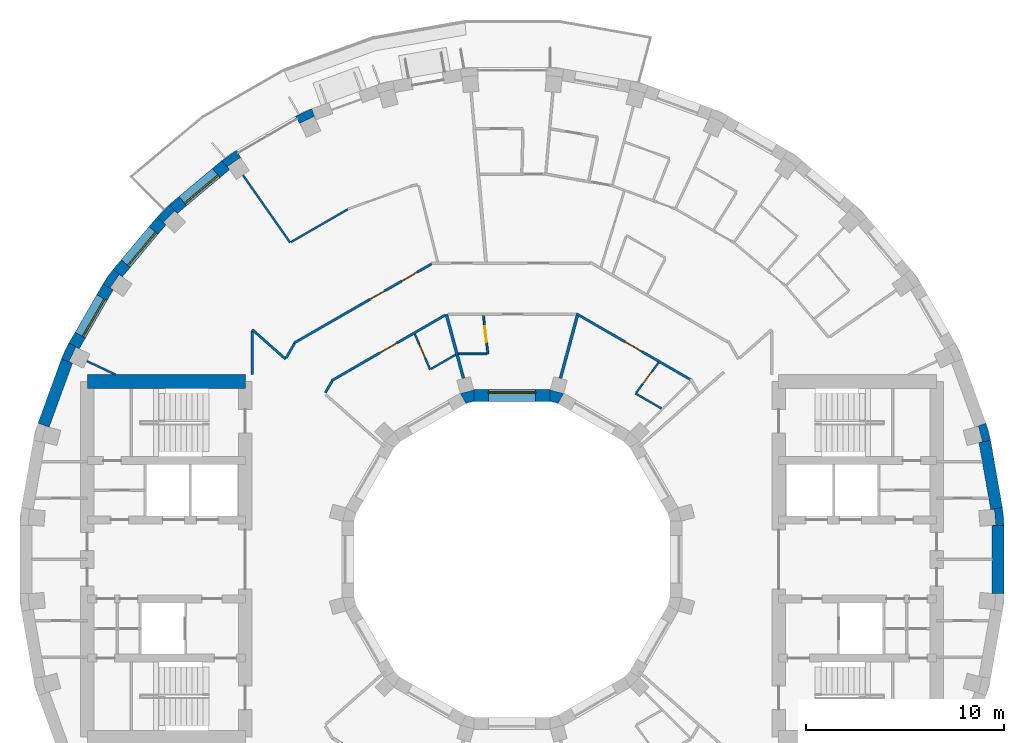
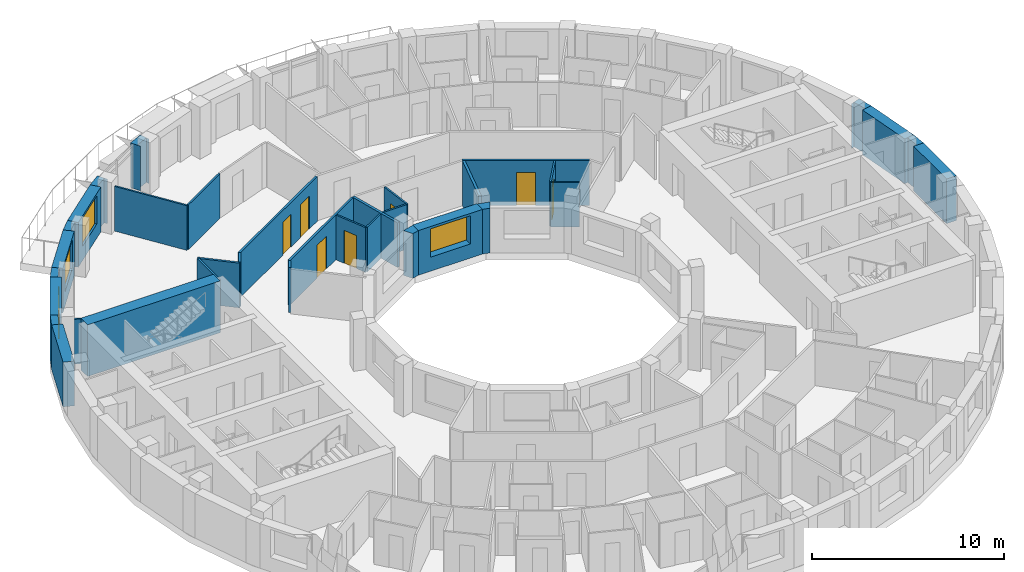
# One storey, part 10 of 14: 35 walls, 7 doors, 4 windows, 11 openings.
"""IFC4 building model written with IfcOpenShell, lengths in metres."""

from ifc_helpers import new_model, si_unit, direction, frame, frame_2d, origin, place, context, subcontext, project, spatial, polyline, rectangle, outline, extrude, material, layer, layer_set, type_object, element, fill, save


model = new_model("IFC4")

# Units and contexts
model_context = context("Model", 3, precision=1e-05, world=origin(), true_north=direction((0.0, 1.0)))
body_context = subcontext(model_context, "Body", "Model", "MODEL_VIEW")
ifc_project = project(units=[si_unit("LENGTHUNIT", "METRE"), si_unit("AREAUNIT", "SQUARE_METRE"), si_unit("VOLUMEUNIT", "CUBIC_METRE"), si_unit("PLANEANGLEUNIT", "RADIAN"), si_unit("MASSUNIT", "GRAM", prefix="KILO")], contexts=[model_context])

# Site, building, storey
site_placement = place(None, origin())
site = spatial("IfcSite", under=ifc_project, at=site_placement, CompositionType="ELEMENT")
building_placement = place(site_placement, origin())
building = spatial("IfcBuilding", under=site, at=building_placement, Name="Saqina Gate Tower", CompositionType="ELEMENT")
storey_placement = place(building_placement, frame((0.0, 0.0, 213.60009765625)))
storey = spatial("IfcBuildingStorey", under=building, at=storey_placement, Name="L61", CompositionType="ELEMENT", Elevation=213.60009765625)

# Walls
ifc_material_1 = material(Name="Brick masonry (buff)", Category="masonry")
wall_type_1 = type_object("IfcWallType", Name="BRICK PIER COPING BUFF", PredefinedType="SOLIDWALL", material=ifc_material_1)
wall_1_placement = place(storey_placement, origin())
element("IfcWall", 1, at=wall_1_placement, inside=storey, type_object=wall_type_1, Name="Pier cap L61 column 1", PredefinedType="SOLIDWALL", context=body_context, shape_type="SweptSolid", body=[
    extrude(outline(polyline([(24.90478515625, 1.724853515625), (24.825927734375, 2.6259765625), (24.235107421875, 2.521728515625), (24.421630859375, 2.5380859375), (24.491455078125, 1.7412109375), (24.304931640625, 1.724853515625), (24.90478515625, 1.724853515625)])), origin(), (0.0, 0.0, 1.0), 2.849853515625),
])
wall_2_placement = place(storey_placement, origin())
element("IfcWall", 2, at=wall_2_placement, inside=storey, type_object=wall_type_1, Name="Pier cap L61 column 2", PredefinedType="SOLIDWALL", context=body_context, shape_type="SweptSolid", body=[
    extrude(outline(polyline([(24.22705078125, 6.0234375), (23.992919921875, 6.897216796875), (23.428955078125, 6.69189453125), (23.610107421875, 6.740478515625), (23.81689453125, 5.967529296875), (23.635986328125, 5.919189453125), (24.22705078125, 6.0234375)])), origin(), (0.0, 0.0, 1.0), 2.849853515625),
])
wall_3_placement = place(storey_placement, origin())
element("IfcWall", 3, at=wall_3_placement, inside=storey, type_object=wall_type_1, Name="Pier cap L61 column 12", PredefinedType="SOLIDWALL", context=body_context, shape_type="SweptSolid", body=[
    extrude(outline(polyline([(-10.958740234375, 22.4306640625), (-10.65869140625, 21.9111328125), (-10.73779296875, 22.080810546875), (-10.0126953125, 22.4189453125), (-9.93359375, 22.249267578125), (-10.138916015625, 22.81298828125), (-10.958740234375, 22.4306640625)])), origin(), (0.0, 0.0, 1.0), 2.849853515625),
])
wall_4_placement = place(storey_placement, origin())
element("IfcWall", 4, at=wall_4_placement, inside=storey, type_object=wall_type_1, Name="Pier cap L61 column 13", PredefinedType="SOLIDWALL", context=body_context, shape_type="SweptSolid", body=[
    extrude(outline(polyline([(-13.9462890625, 20.705810546875), (-14.687255859375, 20.18701171875), (-14.301513671875, 19.727294921875), (-14.408935546875, 19.880859375), (-13.753662109375, 20.339599609375), (-13.646240234375, 20.186279296875), (-13.9462890625, 20.705810546875)])), origin(), (0.0, 0.0, 1.0), 2.849853515625),
])
wall_5_placement = place(storey_placement, origin())
element("IfcWall", 5, at=wall_5_placement, inside=storey, type_object=wall_type_1, Name="Pier cap L61 column 14", PredefinedType="SOLIDWALL", context=body_context, shape_type="SweptSolid", body=[
    extrude(outline(polyline([(-17.969482421875, 17.329833984375), (-17.510009765625, 16.944091796875), (-17.642333984375, 17.07666015625), (-17.07666015625, 17.642333984375), (-16.944091796875, 17.510009765625), (-17.329833984375, 17.969482421875), (-17.969482421875, 17.329833984375)])), origin(), (0.0, 0.0, 1.0), 2.849853515625),
])
wall_6_placement = place(storey_placement, origin())
element("IfcWall", 6, at=wall_6_placement, inside=storey, type_object=wall_type_1, Name="Pier cap L61 column 15", PredefinedType="SOLIDWALL", context=body_context, shape_type="SweptSolid", body=[
    extrude(outline(polyline([(-20.18701171875, 14.687255859375), (-20.705810546875, 13.9462890625), (-20.186279296875, 13.646240234375), (-20.339599609375, 13.753662109375), (-19.880859375, 14.408935546875), (-19.727294921875, 14.301513671875), (-20.18701171875, 14.687255859375)])), origin(), (0.0, 0.0, 1.0), 2.849853515625),
])
wall_7_placement = place(storey_placement, origin())
element("IfcWall", 7, at=wall_7_placement, inside=storey, type_object=wall_type_1, Name="Pier cap L61 column 16", PredefinedType="SOLIDWALL", context=body_context, shape_type="SweptSolid", body=[
    extrude(outline(polyline([(-22.81298828125, 10.138916015625), (-22.249267578125, 9.93359375), (-22.4189453125, 10.0126953125), (-22.080810546875, 10.73779296875), (-21.9111328125, 10.65869140625), (-22.4306640625, 10.958740234375), (-22.81298828125, 10.138916015625)])), origin(), (0.0, 0.0, 1.0), 2.849853515625),
])

# Wall, opening, window
ifc_material_2 = material(Name="Brick masonry (buff)", Category="masonry")
ifc_layer_1 = layer(ifc_material_2, 0.60009765625)
ifc_layer_set_1 = layer_set([ifc_layer_1], Name="FW-BRICK-BUFF")
wall_type_2 = type_object("IfcWallType", Name="FW-BRICK-BUFF", PredefinedType="SOLIDWALL", material=ifc_layer_set_1)
wall_8_placement = place(storey_placement, frame((-14.494384765625, 19.95703125, 0.0), z_axis=(0.0, 0.0, 1.0), x_axis=(-0.766058884809, -0.642770398358, 0.0)))
wall_8 = element("IfcWall", 8, at=wall_8_placement, inside=storey, type_object=wall_type_2, Name="Facade wall L61 facet 13", PredefinedType="SOLIDWALL", context=body_context, shape_type="SweptSolid", body=[
    extrude(rectangle(XDim=3.449462890625, YDim=0.60009765625, at=frame_2d((1.724609375, 0.0))), origin(), (0.0, 0.0, 1.0), 2.849853515625),
])
opening_1_placement = place(wall_8_placement, frame((0.625, 0.0, 0.89990234375)))
opening_1 = element("IfcOpeningElement", 9, at=opening_1_placement, cuts=wall_8, Name="Opening G18-W07", PredefinedType="OPENING", context=body_context, shape_type="SweptSolid", body=[
    extrude(rectangle(XDim=2.199951171875, YDim=1.800048828125, at=frame_2d((1.10009765625, 0.89990234375))), frame((0.0, 0.31201171875, 0.0), z_axis=(0.0, -1.0, 0.0), x_axis=(1.0, 0.0, 0.0)), (0.0, 0.0, 1.0), 0.6240234375),
])
ifc_material_3 = material(Name="Aluminium glazing", Category="aluminium")
window_type_1 = type_object("IfcWindowType", Name="WN-C", PartitioningType="SINGLE_PANEL", PredefinedType="WINDOW", material=ifc_material_3)
window_1_placement = place(opening_1_placement, origin())
window_1 = element("IfcWindow", 10, at=window_1_placement, inside=storey, type_object=window_type_1, Name="Window L61 facet 13", OverallHeight=1.800048828125, OverallWidth=2.199951171875, PartitioningType="SINGLE_PANEL", PredefinedType="WINDOW", context=body_context, shape_type="SweptSolid", body=[
    extrude(rectangle(XDim=2.199951171875, YDim=1.800048828125, at=frame_2d((1.10009765625, 0.89990234375))), frame((0.0, 0.179931640625, 0.0), z_axis=(0.0, -1.0, 0.0), x_axis=(1.0, 0.0, 0.0)), (0.0, 0.0, 1.0), 0.06005859375),
])
fill(opening_1, window_1)

wall_9_placement = place(storey_placement, frame((-17.73974609375, 17.136962890625, 0.0), z_axis=(0.0, 0.0, 1.0), x_axis=(-0.642770398358, -0.766058884809, 0.0)))
wall_9 = element("IfcWall", 11, at=wall_9_placement, inside=storey, type_object=wall_type_2, Name="Facade wall L61 facet 14", PredefinedType="SOLIDWALL", context=body_context, shape_type="SweptSolid", body=[
    extrude(rectangle(XDim=3.449462890625, YDim=0.60009765625, at=frame_2d((1.724609375, 0.0))), origin(), (0.0, 0.0, 1.0), 2.849853515625),
])
opening_2_placement = place(wall_9_placement, frame((0.625, 0.0, 0.89990234375)))
opening_2 = element("IfcOpeningElement", 12, at=opening_2_placement, cuts=wall_9, Name="Opening G18-W08", PredefinedType="OPENING", context=body_context, shape_type="SweptSolid", body=[
    extrude(rectangle(XDim=2.199951171875, YDim=1.800048828125, at=frame_2d((1.10009765625, 0.89990234375))), frame((0.0, 0.31201171875, 0.0), z_axis=(0.0, -1.0, 0.0), x_axis=(1.0, 0.0, 0.0)), (0.0, 0.0, 1.0), 0.6240234375),
])
window_2_placement = place(opening_2_placement, origin())
window_2 = element("IfcWindow", 13, at=window_2_placement, inside=storey, type_object=window_type_1, Name="Window L61 facet 14", OverallHeight=1.800048828125, OverallWidth=2.199951171875, PartitioningType="SINGLE_PANEL", PredefinedType="WINDOW", context=body_context, shape_type="SweptSolid", body=[
    extrude(rectangle(XDim=2.199951171875, YDim=1.800048828125, at=frame_2d((1.10009765625, 0.89990234375))), frame((0.0, 0.179931640625, 0.0), z_axis=(0.0, -1.0, 0.0), x_axis=(1.0, 0.0, 0.0)), (0.0, 0.0, 1.0), 0.06005859375),
])
fill(opening_2, window_2)

wall_10_placement = place(storey_placement, frame((-20.446044921875, 13.796142578125, 0.0), z_axis=(0.0, 0.0, 1.0), x_axis=(-0.499998129301, -0.86602648383, 0.0)))
wall_10 = element("IfcWall", 14, at=wall_10_placement, inside=storey, type_object=wall_type_2, Name="Facade wall L61 facet 15", PredefinedType="SOLIDWALL", context=body_context, shape_type="SweptSolid", body=[
    extrude(rectangle(XDim=3.44970703125, YDim=0.60009765625, at=frame_2d((1.724853515625, 0.0))), origin(), (0.0, 0.0, 1.0), 2.849853515625),
])
opening_3_placement = place(wall_10_placement, frame((0.625, 0.0, 0.89990234375)))
opening_3 = element("IfcOpeningElement", 15, at=opening_3_placement, cuts=wall_10, Name="Opening G18-W09", PredefinedType="OPENING", context=body_context, shape_type="SweptSolid", body=[
    extrude(rectangle(XDim=2.199951171875, YDim=1.800048828125, at=frame_2d((1.10009765625, 0.89990234375))), frame((0.0, 0.31201171875, 0.0), z_axis=(0.0, -1.0, 0.0), x_axis=(1.0, 0.0, 0.0)), (0.0, 0.0, 1.0), 0.6240234375),
])
window_3_placement = place(opening_3_placement, origin())
window_3 = element("IfcWindow", 16, at=window_3_placement, inside=storey, type_object=window_type_1, Name="Window L61 facet 15", OverallHeight=1.800048828125, OverallWidth=2.199951171875, PartitioningType="SINGLE_PANEL", PredefinedType="WINDOW", context=body_context, shape_type="SweptSolid", body=[
    extrude(rectangle(XDim=2.199951171875, YDim=1.800048828125, at=frame_2d((1.10009765625, 0.89990234375))), frame((0.0, 0.179931640625, 0.0), z_axis=(0.0, -1.0, 0.0), x_axis=(1.0, 0.0, 0.0)), (0.0, 0.0, 1.0), 0.06005859375),
])
fill(opening_3, window_3)

# Walls
ifc_material_4 = material(Name="Glazed ceramic tile", Category="ceramic")
ifc_layer_2 = layer(ifc_material_4, 0.60009765625)
ifc_layer_set_2 = layer_set([ifc_layer_2], Name="FW-TILE")
wall_type_3 = type_object("IfcWallType", Name="FW-TILE", PredefinedType="SOLIDWALL", material=ifc_layer_set_2)
for number, where, z_axis, x_axis, name in (
    (17, (-22.531005859375, 10.0361328125, 0.0), (0.0, 0.0, 1.0), (-0.342032843455, -0.93968799822, 0.0), "Facade wall L61 facet 16"),
    (18, (24.60498046875, -1.724853515625, 0.0), (0.0, 0.0, 1.0), (0.0, 1.0, 0.0), "Facade wall L61 facet 36"),
):
    element("IfcWall", number, at=place(storey_placement, frame(where, z_axis=z_axis, x_axis=x_axis)), inside=storey, type_object=wall_type_3, Name=name, PredefinedType="SOLIDWALL", context=body_context, shape_type="SweptSolid", body=[
        extrude(rectangle(XDim=3.44970703125, YDim=0.60009765625, at=frame_2d((1.724853515625, 0.0))), origin(), (0.0, 0.0, 1.0), 2.849853515625),
    ])
ifc_material_5 = material(Name="Glazed ceramic tile (dark blue)", Category="ceramic")
ifc_layer_3 = layer(ifc_material_5, 0.60009765625)
ifc_layer_set_3 = layer_set([ifc_layer_3], Name="FW-TILE-CB")
wall_type_4 = type_object("IfcWallType", Name="FW-TILE-CB", PredefinedType="SOLIDWALL", material=ifc_layer_set_3)
wall_11_placement = place(storey_placement, frame((24.530517578125, 2.573974609375, 0.0), z_axis=(0.0, 0.0, 1.0), x_axis=(-0.173607684551, 0.984814892183, 0.0)))
element("IfcWall", 19, at=wall_11_placement, inside=storey, type_object=wall_type_4, Name="Facade wall L61 facet 1", PredefinedType="SOLIDWALL", context=body_context, shape_type="SweptSolid", body=[
    extrude(rectangle(XDim=3.44970703125, YDim=0.60009765625, at=frame_2d((1.724853515625, 0.0))), origin(), (0.0, 0.0, 1.0), 2.849853515625),
])

# Wall, opening, window
ifc_material_6 = material(Name="Glazed ceramic tile", Category="ceramic")
ifc_layer_4 = layer(ifc_material_6, 0.60009765625)
ifc_layer_set_4 = layer_set([ifc_layer_4], Name="IW-TILE")
wall_type_5 = type_object("IfcWallType", Name="IW-TILE", PredefinedType="SOLIDWALL", material=ifc_layer_set_4)
wall_12_placement = place(storey_placement, frame((1.934814453125, 8.300048828125, 0.0), z_axis=(0.0, 0.0, 1.0), x_axis=(-1.0, 0.0, 0.0)))
wall_12 = element("IfcWall", 20, at=wall_12_placement, inside=storey, type_object=wall_type_5, Name="Well wall L61 facet 3", PredefinedType="SOLIDWALL", context=body_context, shape_type="SweptSolid", body=[
    extrude(rectangle(XDim=3.86962890625, YDim=0.60009765625, at=frame_2d((1.934814453125, 0.0))), origin(), (0.0, 0.0, 1.0), 2.849853515625),
])
opening_4_placement = place(wall_12_placement, frame((0.73486328125, 0.0, 0.89990234375)))
opening_4 = element("IfcOpeningElement", 21, at=opening_4_placement, cuts=wall_12, Name="Opening G18-W25", PredefinedType="OPENING", context=body_context, shape_type="SweptSolid", body=[
    extrude(rectangle(XDim=2.39990234375, YDim=1.800048828125, at=frame_2d((1.199951171875, 0.89990234375))), frame((0.0, 0.31201171875, 0.0), z_axis=(0.0, -1.0, 0.0), x_axis=(1.0, 0.0, 0.0)), (0.0, 0.0, 1.0), 0.6240234375),
])
ifc_material_7 = material(Name="Aluminium glazing", Category="aluminium")
window_type_2 = type_object("IfcWindowType", Name="WN-W", PartitioningType="SINGLE_PANEL", PredefinedType="WINDOW", material=ifc_material_7)
window_4_placement = place(opening_4_placement, origin())
window_4 = element("IfcWindow", 22, at=window_4_placement, inside=storey, type_object=window_type_2, Name="Well window L61 facet 3", OverallHeight=1.800048828125, OverallWidth=2.39990234375, PartitioningType="SINGLE_PANEL", PredefinedType="WINDOW", context=body_context, shape_type="SweptSolid", body=[
    extrude(rectangle(XDim=2.39990234375, YDim=1.800048828125, at=frame_2d((1.199951171875, 0.89990234375))), frame((0.0, -0.119873046875, 0.0), z_axis=(0.0, -1.0, 0.0), x_axis=(1.0, 0.0, 0.0)), (0.0, 0.0, 1.0), 0.06005859375),
])
fill(opening_4, window_4)

# Wall, opening, door
ifc_material_8 = material(Name="Gypsum board on steel studs, 100 mm", Category="steel")
ifc_layer_5 = layer(ifc_material_8, 0.10009765625)
ifc_layer_set_5 = layer_set([ifc_layer_5], Name="PARTITION 100")
wall_type_6 = type_object("IfcWallType", Name="PARTITION 100", PredefinedType="PARTITIONING", material=ifc_layer_set_5)
wall_13_placement = place(storey_placement, frame((-1.44580078125, 12.337890625, 0.0), z_axis=(0.0, 0.0, 1.0), x_axis=(0.116238674347, -0.993221309974, 0.0)))
wall_13 = element("IfcWall", 23, at=wall_13_placement, inside=storey, type_object=wall_type_6, Name="PARTITION PW3-02", PredefinedType="PARTITIONING", context=body_context, shape_type="SweptSolid", body=[
    extrude(rectangle(XDim=1.951171875, YDim=0.10009765625, at=frame_2d((0.9755859375, 0.0))), origin(), (0.0, 0.0, 1.0), 2.849853515625),
])
opening_5_placement = place(wall_13_placement, frame((0.544189453125, 0.0, 0.0)))
opening_5 = element("IfcOpeningElement", 24, at=opening_5_placement, cuts=wall_13, Name="Opening G18-D19", PredefinedType="OPENING", context=body_context, shape_type="SweptSolid", body=[
    extrude(rectangle(XDim=0.800048828125, YDim=2.10009765625, at=frame_2d((0.39990234375, 1.050048828125))), frame((0.0, 0.06201171875, 0.0), z_axis=(0.0, -1.0, 0.0), x_axis=(1.0, 0.0, 0.0)), (0.0, 0.0, 1.0), 0.1240234375),
])
ifc_material_9 = material(Name="Timber door leaf, 800 mm", Category="wood")
door_type_1 = type_object("IfcDoorType", Name="DOOR 800 TIMBER", OperationType="SINGLE_SWING_LEFT", PredefinedType="DOOR", material=ifc_material_9)
door_1_placement = place(opening_5_placement, origin())
door_1 = element("IfcDoor", 25, at=door_1_placement, inside=storey, type_object=door_type_1, Name="DOOR G18-D19", OperationType="SINGLE_SWING_LEFT", OverallHeight=2.10009765625, OverallWidth=0.800048828125, PredefinedType="DOOR", context=body_context, shape_type="SweptSolid", body=[
    extrude(rectangle(XDim=0.800048828125, YDim=2.10009765625, at=frame_2d((0.39990234375, 1.050048828125))), frame((0.0, 0.02490234375, 0.0), z_axis=(0.0, -1.0, 0.0), x_axis=(1.0, 0.0, 0.0)), (0.0, 0.0, 1.0), 0.050048828125),
])
fill(opening_5, door_1)

wall_14_placement = place(storey_placement, frame((-4.917236328125, 11.40771484375, 0.0), z_axis=(0.0, 0.0, 1.0), x_axis=(0.395791139597, -0.918340554379, 0.0)))
wall_14 = element("IfcWall", 26, at=wall_14_placement, inside=storey, type_object=wall_type_6, Name="PARTITION PW3-07", PredefinedType="PARTITIONING", context=body_context, shape_type="SweptSolid", body=[
    extrude(rectangle(XDim=1.951171875, YDim=0.10009765625, at=frame_2d((0.9755859375, 0.0))), origin(), (0.0, 0.0, 1.0), 2.849853515625),
])
opening_6_placement = place(wall_14_placement, frame((0.544189453125, 0.0, 0.0)))
opening_6 = element("IfcOpeningElement", 27, at=opening_6_placement, cuts=wall_14, Name="Opening G18-D23", PredefinedType="OPENING", context=body_context, shape_type="SweptSolid", body=[
    extrude(rectangle(XDim=0.800048828125, YDim=2.10009765625, at=frame_2d((0.39990234375, 1.050048828125))), frame((0.0, 0.06201171875, 0.0), z_axis=(0.0, -1.0, 0.0), x_axis=(1.0, 0.0, 0.0)), (0.0, 0.0, 1.0), 0.1240234375),
])
door_2_placement = place(opening_6_placement, frame((0.800048828125, 0.0, 0.0), z_axis=(0.0, 0.0, 1.0), x_axis=(-1.0, 0.0, 0.0)))
door_2 = element("IfcDoor", 28, at=door_2_placement, inside=storey, type_object=door_type_1, Name="DOOR G18-D23", OperationType="SINGLE_SWING_RIGHT", OverallHeight=2.10009765625, OverallWidth=0.800048828125, PredefinedType="DOOR", context=body_context, shape_type="SweptSolid", body=[
    extrude(rectangle(XDim=0.800048828125, YDim=2.10009765625, at=frame_2d((0.39990234375, 1.050048828125))), frame((0.0, 0.02490234375, 0.0), z_axis=(0.0, -1.0, 0.0), x_axis=(1.0, 0.0, 0.0)), (0.0, 0.0, 1.0), 0.050048828125),
])
fill(opening_6, door_2)

# Walls
wall_15_placement = place(storey_placement, frame((-13.616943359375, 19.446533203125, 0.0), z_axis=(0.0, 0.0, 1.0), x_axis=(0.573521439143, -0.819190550997, 0.0)))
element("IfcWall", 29, at=wall_15_placement, inside=storey, type_object=wall_type_6, Name="PARTITION PW3-11", PredefinedType="PARTITIONING", context=body_context, shape_type="SweptSolid", body=[
    extrude(rectangle(XDim=4.158935546875, YDim=0.10009765625, at=frame_2d((2.07958984375, 0.0))), origin(), (0.0, 0.0, 1.0), 2.849853515625),
])
wall_16_placement = place(storey_placement, frame((6.2548828125, 8.39697265625, 0.0), z_axis=(0.0, 0.0, 1.0), x_axis=(0.866027576455, -0.499996236806, 0.0)))
element("IfcWall", 30, at=wall_16_placement, inside=storey, type_object=wall_type_6, Name="PARTITION PW3-29", PredefinedType="PARTITIONING", context=body_context, shape_type="SweptSolid", body=[
    extrude(rectangle(XDim=1.51806640625, YDim=0.10009765625, at=frame_2d((0.759033203125, 0.0))), origin(), (0.0, 0.0, 1.0), 2.849853515625),
])
wall_17_placement = place(storey_placement, frame((-21.515380859375, 10.033935546875, 0.0), z_axis=(0.0, 0.0, 1.0), x_axis=(0.905418888078, -0.424519301223, 0.0)))
element("IfcWall", 31, at=wall_17_placement, inside=storey, type_object=wall_type_6, Name="PARTITION PW3-33", PredefinedType="PARTITIONING", context=body_context, shape_type="SweptSolid", body=[
    extrude(rectangle(XDim=1.61083984375, YDim=0.10009765625, at=frame_2d((0.805419921875, 0.0))), origin(), (0.0, 0.0, 1.0), 2.849853515625),
])
wall_18_placement = place(storey_placement, frame((-2.7119140625, 10.39990234375, 0.0), z_axis=(0.0, 0.0, 1.0), x_axis=(1.0, 0.0, 0.0)))
element("IfcWall", 32, at=wall_18_placement, inside=storey, type_object=wall_type_6, Name="PARTITION PW3-45", PredefinedType="PARTITIONING", context=body_context, shape_type="SweptSolid", body=[
    extrude(rectangle(XDim=1.44287109375, YDim=0.10009765625, at=frame_2d((0.721435546875, 0.0))), origin(), (0.0, 0.0, 1.0), 2.849853515625),
])
wall_19_placement = place(storey_placement, frame((-4.101806640625, 9.64111328125, 0.0), z_axis=(0.0, 0.0, 1.0), x_axis=(0.866058810152, 0.49994213401, 0.0)))
element("IfcWall", 33, at=wall_19_placement, inside=storey, type_object=wall_type_6, Name="PARTITION PW3-59", PredefinedType="PARTITIONING", context=body_context, shape_type="SweptSolid", body=[
    extrude(rectangle(XDim=1.443115234375, YDim=0.10009765625, at=frame_2d((0.7216796875, 0.0))), origin(), (0.0, 0.0, 1.0), 2.849853515625),
])
wall_20_placement = place(storey_placement, frame((-11.185791015625, 16.065185546875, 0.0), z_axis=(0.0, 0.0, 1.0), x_axis=(0.866233493035, 0.499639405515, 0.0)))
element("IfcWall", 34, at=wall_20_placement, inside=storey, type_object=wall_type_6, Name="PARTITION PW3-60", PredefinedType="PARTITIONING", context=body_context, shape_type="SweptSolid", body=[
    extrude(rectangle(XDim=3.30859375, YDim=0.10009765625, at=frame_2d((1.654296875, 0.0))), origin(), (0.0, 0.0, 1.0), 2.849853515625),
])

# Wall, opening, door
wall_21_placement = place(storey_placement, frame((6.284912109375, 8.43701171875, 0.0), z_axis=(0.0, 0.0, 1.0), x_axis=(0.597325895746, 0.801998612388, 0.0)))
wall_21 = element("IfcWall", 35, at=wall_21_placement, inside=storey, type_object=wall_type_6, Name="PARTITION PW3-70", PredefinedType="PARTITIONING", context=body_context, shape_type="SweptSolid", body=[
    extrude(rectangle(XDim=1.9013671875, YDim=0.10009765625, at=frame_2d((0.95068359375, 0.0))), origin(), (0.0, 0.0, 1.0), 2.849853515625),
])
opening_7_placement = place(wall_21_placement, frame((0.556884765625, 0.0, 0.0)))
opening_7 = element("IfcOpeningElement", 36, at=opening_7_placement, cuts=wall_21, Name="Opening G18-D05", PredefinedType="OPENING", context=body_context, shape_type="SweptSolid", body=[
    extrude(rectangle(XDim=0.800048828125, YDim=2.10009765625, at=frame_2d((0.39990234375, 1.050048828125))), frame((0.0, 0.06201171875, 0.0), z_axis=(0.0, -1.0, 0.0), x_axis=(1.0, 0.0, 0.0)), (0.0, 0.0, 1.0), 0.1240234375),
])
door_3_placement = place(opening_7_placement, origin())
door_3 = element("IfcDoor", 37, at=door_3_placement, inside=storey, type_object=door_type_1, Name="DOOR G18-D05", OperationType="SINGLE_SWING_RIGHT", OverallHeight=2.10009765625, OverallWidth=0.800048828125, PredefinedType="DOOR", context=body_context, shape_type="SweptSolid", body=[
    extrude(rectangle(XDim=0.800048828125, YDim=2.10009765625, at=frame_2d((0.39990234375, 1.050048828125))), frame((0.0, 0.02490234375, 0.0), z_axis=(0.0, -1.0, 0.0), x_axis=(1.0, 0.0, 0.0)), (0.0, 0.0, 1.0), 0.050048828125),
])
fill(opening_7, door_3)

# Wall
ifc_material_10 = material(Name="Gypsum board on steel studs, 125 mm, fire rated", Category="steel")
ifc_layer_6 = layer(ifc_material_10, 0.125)
ifc_layer_set_6 = layer_set([ifc_layer_6], Name="PARTITION EI 30 125")
wall_type_7 = type_object("IfcWallType", Name="PARTITION EI 30 125", PredefinedType="PARTITIONING", material=ifc_layer_set_6)
wall_22_placement = place(storey_placement, frame((-13.14697265625, 11.63134765625, 0.0), z_axis=(0.0, 0.0, 1.0), x_axis=(0.748942615969, -0.662634860225, 0.0)))
element("IfcWall", 38, at=wall_22_placement, inside=storey, type_object=wall_type_7, Name="PARTITION PW1-11", PredefinedType="PARTITIONING", context=body_context, shape_type="SweptSolid", body=[
    extrude(rectangle(XDim=2.24609375, YDim=0.125, at=frame_2d((1.123046875, 0.0))), origin(), (0.0, 0.0, 1.0), 2.849853515625),
])

# Wall, opening, door
wall_23_placement = place(storey_placement, frame((3.260498046875, 12.43603515625, 0.0), z_axis=(0.0, 0.0, 1.0), x_axis=(0.865965002636, -0.500104603268, 0.0)))
wall_23 = element("IfcWall", 39, at=wall_23_placement, inside=storey, type_object=wall_type_7, Name="PARTITION PW1-21", PredefinedType="PARTITIONING", context=body_context, shape_type="SweptSolid", body=[
    extrude(rectangle(XDim=6.654296875, YDim=0.125, at=frame_2d((3.3271484375, 0.0))), origin(), (0.0, 0.0, 1.0), 2.849853515625),
])
opening_8_placement = place(wall_23_placement, frame((2.843505859375, 0.0, 0.0)))
opening_8 = element("IfcOpeningElement", 40, at=opening_8_placement, cuts=wall_23, Name="Opening G18-D07", PredefinedType="OPENING", context=body_context, shape_type="SweptSolid", body=[
    extrude(rectangle(XDim=1.0, YDim=2.10009765625, at=frame_2d((0.5, 1.050048828125))), frame((0.0, 0.074462890625, 0.0), z_axis=(0.0, -1.0, 0.0), x_axis=(1.0, 0.0, 0.0)), (0.0, 0.0, 1.0), 0.14892578125),
])
ifc_material_11 = material(Name="Fire door leaf EI 30, 1000 mm")
door_type_2 = type_object("IfcDoorType", Name="DOOR 1000 EI 30", OperationType="SINGLE_SWING_LEFT", PredefinedType="DOOR", material=ifc_material_11)
door_4_placement = place(opening_8_placement, frame((1.0, 0.0, 0.0), z_axis=(0.0, 0.0, 1.0), x_axis=(-1.0, 0.0, 0.0)))
door_4 = element("IfcDoor", 41, at=door_4_placement, inside=storey, type_object=door_type_2, Name="DOOR G18-D07", OperationType="SINGLE_SWING_LEFT", OverallHeight=2.10009765625, OverallWidth=1.0, PredefinedType="DOOR", context=body_context, shape_type="SweptSolid", body=[
    extrude(rectangle(XDim=1.0, YDim=2.10009765625, at=frame_2d((0.5, 1.050048828125))), frame((0.0, 0.02490234375, 0.0), z_axis=(0.0, -1.0, 0.0), x_axis=(1.0, 0.0, 0.0)), (0.0, 0.0, 1.0), 0.050048828125),
])
fill(opening_8, door_4)

# Wall, openings, doors
wall_24_placement = place(storey_placement, frame((-11.044677734375, 10.945556640625, 0.0), z_axis=(0.0, 0.0, 1.0), x_axis=(0.866772253505, 0.498704181409, 0.0)))
wall_24 = element("IfcWall", 42, at=wall_24_placement, inside=storey, type_object=wall_type_7, Name="PARTITION PW1-34", PredefinedType="PARTITIONING", context=body_context, shape_type="SweptSolid", body=[
    extrude(rectangle(XDim=8.049072265625, YDim=0.125, at=frame_2d((4.0244140625, 0.0))), origin(), (0.0, 0.0, 1.0), 2.849853515625),
])
opening_9_placement = place(wall_24_placement, frame((6.30810546875, 0.0, 0.0)))
opening_9 = element("IfcOpeningElement", 43, at=opening_9_placement, cuts=wall_24, Name="Opening G18-D21", PredefinedType="OPENING", context=body_context, shape_type="SweptSolid", body=[
    extrude(rectangle(XDim=0.89990234375, YDim=2.10009765625, at=frame_2d((0.449951171875, 1.050048828125))), frame((0.0, 0.074462890625, 0.0), z_axis=(0.0, -1.0, 0.0), x_axis=(1.0, 0.0, 0.0)), (0.0, 0.0, 1.0), 0.14892578125),
])
opening_10_placement = place(wall_24_placement, frame((4.462646484375, 0.0, 0.0)))
opening_10 = element("IfcOpeningElement", 44, at=opening_10_placement, cuts=wall_24, Name="Opening G18-D24", PredefinedType="OPENING", context=body_context, shape_type="SweptSolid", body=[
    extrude(rectangle(XDim=0.85009765625, YDim=2.10009765625, at=frame_2d((0.425048828125, 1.050048828125))), frame((0.0, 0.074462890625, 0.0), z_axis=(0.0, -1.0, 0.0), x_axis=(1.0, 0.0, 0.0)), (0.0, 0.0, 1.0), 0.14892578125),
])
ifc_material_12 = material(Name="Fire door leaf EI 30, 850 mm")
door_type_3 = type_object("IfcDoorType", Name="DOOR 850 EI 30", OperationType="SINGLE_SWING_LEFT", PredefinedType="DOOR", material=ifc_material_12)
door_5_placement = place(opening_10_placement, frame((0.85009765625, 0.0, 0.0), z_axis=(0.0, 0.0, 1.0), x_axis=(-1.0, 0.0, 0.0)))
door_5 = element("IfcDoor", 45, at=door_5_placement, inside=storey, type_object=door_type_3, Name="DOOR G18-D24", OperationType="SINGLE_SWING_LEFT", OverallHeight=2.10009765625, OverallWidth=0.85009765625, PredefinedType="DOOR", context=body_context, shape_type="SweptSolid", body=[
    extrude(rectangle(XDim=0.85009765625, YDim=2.10009765625, at=frame_2d((0.425048828125, 1.050048828125))), frame((0.0, 0.02490234375, 0.0), z_axis=(0.0, -1.0, 0.0), x_axis=(1.0, 0.0, 0.0)), (0.0, 0.0, 1.0), 0.050048828125),
])
fill(opening_10, door_5)
ifc_material_13 = material(Name="Fire door leaf EI 30, 900 mm")
door_type_4 = type_object("IfcDoorType", Name="DOOR 900 EI 30", OperationType="SINGLE_SWING_LEFT", PredefinedType="DOOR", material=ifc_material_13)
door_6_placement = place(opening_9_placement, frame((0.89990234375, 0.0, 0.0), z_axis=(0.0, 0.0, 1.0), x_axis=(-1.0, 0.0, 0.0)))
door_6 = element("IfcDoor", 46, at=door_6_placement, inside=storey, type_object=door_type_4, Name="DOOR G18-D21", OperationType="SINGLE_SWING_LEFT", OverallHeight=2.10009765625, OverallWidth=0.89990234375, PredefinedType="DOOR", context=body_context, shape_type="SweptSolid", body=[
    extrude(rectangle(XDim=0.89990234375, YDim=2.10009765625, at=frame_2d((0.449951171875, 1.050048828125))), frame((0.0, 0.02490234375, 0.0), z_axis=(0.0, -1.0, 0.0), x_axis=(1.0, 0.0, 0.0)), (0.0, 0.0, 1.0), 0.050048828125),
])
fill(opening_9, door_6)

# Wall, opening, door
wall_25_placement = place(storey_placement, frame((-9.139404296875, 9.041015625, 0.0), z_axis=(0.0, 0.0, 1.0), x_axis=(0.865965193508, 0.50010427276, 0.0)))
wall_25 = element("IfcWall", 47, at=wall_25_placement, inside=storey, type_object=wall_type_7, Name="PARTITION PW1-38", PredefinedType="PARTITIONING", context=body_context, shape_type="SweptSolid", body=[
    extrude(rectangle(XDim=6.6416015625, YDim=0.125, at=frame_2d((3.32080078125, 0.0))), origin(), (0.0, 0.0, 1.0), 2.849853515625),
])
opening_11_placement = place(wall_25_placement, frame((2.843505859375, 0.0, 0.0)))
opening_11 = element("IfcOpeningElement", 48, at=opening_11_placement, cuts=wall_25, Name="Opening G18-D25", PredefinedType="OPENING", context=body_context, shape_type="SweptSolid", body=[
    extrude(rectangle(XDim=1.0, YDim=2.10009765625, at=frame_2d((0.5, 1.050048828125))), frame((0.0, 0.074462890625, 0.0), z_axis=(0.0, -1.0, 0.0), x_axis=(1.0, 0.0, 0.0)), (0.0, 0.0, 1.0), 0.14892578125),
])
door_7_placement = place(opening_11_placement, frame((1.0, 0.0, 0.0), z_axis=(0.0, 0.0, 1.0), x_axis=(-1.0, 0.0, 0.0)))
door_7 = element("IfcDoor", 49, at=door_7_placement, inside=storey, type_object=door_type_2, Name="DOOR G18-D25", OperationType="SINGLE_SWING_LEFT", OverallHeight=2.10009765625, OverallWidth=1.0, PredefinedType="DOOR", context=body_context, shape_type="SweptSolid", body=[
    extrude(rectangle(XDim=1.0, YDim=2.10009765625, at=frame_2d((0.5, 1.050048828125))), frame((0.0, 0.02490234375, 0.0), z_axis=(0.0, -1.0, 0.0), x_axis=(1.0, 0.0, 0.0)), (0.0, 0.0, 1.0), 0.050048828125),
])
fill(opening_11, door_7)

# Walls
wall_26_placement = place(storey_placement, frame((-9.44580078125, 8.439208984375, 0.0), z_axis=(0.0, 0.0, 1.0), x_axis=(0.500422377307, 0.865781406759, 0.0)))
element("IfcWall", 50, at=wall_26_placement, inside=storey, type_object=wall_type_7, Name="PARTITION PW1-48", PredefinedType="PARTITIONING", context=body_context, shape_type="SweptSolid", body=[
    extrude(rectangle(XDim=0.67431640625, YDim=0.125, at=frame_2d((0.337158203125, 0.0))), origin(), (0.0, 0.0, 1.0), 2.849853515625),
])
wall_27_placement = place(storey_placement, frame((-11.4326171875, 10.19921875, 0.0), z_axis=(0.0, 0.0, 1.0), x_axis=(0.500326004058, 0.865837103423, 0.0)))
element("IfcWall", 51, at=wall_27_placement, inside=storey, type_object=wall_type_7, Name="PARTITION PW1-49", PredefinedType="PARTITIONING", context=body_context, shape_type="SweptSolid", body=[
    extrude(rectangle(XDim=0.84033203125, YDim=0.125, at=frame_2d((0.420166015625, 0.0))), origin(), (0.0, 0.0, 1.0), 2.849853515625),
])
wall_28_placement = place(storey_placement, frame((-13.14990234375, 9.35107421875, 0.0), z_axis=(0.0, 0.0, 1.0), x_axis=(0.0, 1.0, 0.0)))
element("IfcWall", 52, at=wall_28_placement, inside=storey, type_object=wall_type_7, Name="PARTITION PW1-53", PredefinedType="PARTITIONING", context=body_context, shape_type="SweptSolid", body=[
    extrude(rectangle(XDim=2.21630859375, YDim=0.125, at=frame_2d((1.108154296875, 0.0))), origin(), (0.0, 0.0, 1.0), 2.849853515625),
])
ifc_material_14 = material(Name="Gypsum board on steel studs, 150 mm, fire rated", Category="steel")
ifc_layer_7 = layer(ifc_material_14, 0.14990234375)
ifc_layer_set_7 = layer_set([ifc_layer_7], Name="PARTITION EI 60 150")
wall_type_8 = type_object("IfcWallType", Name="PARTITION EI 60 150", PredefinedType="PARTITIONING", material=ifc_layer_set_7)
wall_29_placement = place(storey_placement, frame((-3.322998046875, 12.39990234375, 0.0), z_axis=(0.0, 0.0, 1.0), x_axis=(0.258866194904, -0.965913191304, 0.0)))
element("IfcWall", 53, at=wall_29_placement, inside=storey, type_object=wall_type_8, Name="PARTITION PW2-03", PredefinedType="PARTITIONING", context=body_context, shape_type="SweptSolid", body=[
    extrude(rectangle(XDim=3.34521484375, YDim=0.14990234375, at=frame_2d((1.672607421875, 0.0))), origin(), (0.0, 0.0, 1.0), 2.849853515625),
])
wall_30_placement = place(storey_placement, frame((2.4541015625, 9.16943359375, 0.0), z_axis=(0.0, 0.0, 1.0), x_axis=(0.259768108771, 0.965671025591, 0.0)))
element("IfcWall", 54, at=wall_30_placement, inside=storey, type_object=wall_type_8, Name="PARTITION PW2-04", PredefinedType="PARTITIONING", context=body_context, shape_type="SweptSolid", body=[
    extrude(rectangle(XDim=3.282958984375, YDim=0.14990234375, at=frame_2d((1.6416015625, 0.0))), origin(), (0.0, 0.0, 1.0), 2.849853515625),
])
ifc_material_15 = material(Name="Concrete C60/75", Category="concrete")
ifc_layer_8 = layer(ifc_material_15, 0.699951171875)
ifc_layer_set_8 = layer_set([ifc_layer_8], Name="Concrete C60/75")
wall_type_9 = type_object("IfcWallType", Name="STR-CORE WALL-C-O", PredefinedType="SHEAR", material=ifc_layer_set_8)
wall_31_placement = place(storey_placement, frame((-13.5, 9.0, 0.0), z_axis=(0.0, 0.0, 1.0), x_axis=(-1.0, 0.0, 0.0)))
element("IfcWall", 55, at=wall_31_placement, inside=storey, type_object=wall_type_9, Name="CORE WALL L61 W-NE", PredefinedType="SHEAR", context=body_context, shape_type="SweptSolid", body=[
    extrude(rectangle(XDim=8.0, YDim=0.699951171875, at=frame_2d((4.0, 0.0))), origin(), (0.0, 0.0, 1.0), 3.2998046875),
])
ifc_material_16 = material(Name="Glazed ceramic tile", Category="ceramic")
wall_type_10 = type_object("IfcWallType", Name="TILE PIER COPING", PredefinedType="SOLIDWALL", material=ifc_material_16)
wall_32_placement = place(storey_placement, origin())
element("IfcWall", 56, at=wall_32_placement, inside=storey, type_object=wall_type_10, Name="Well pier cap L61 column 3", PredefinedType="SOLIDWALL", context=body_context, shape_type="SweptSolid", body=[
    extrude(outline(polyline([(1.934814453125, 8.573486328125), (1.934814453125, 8.0), (2.32421875, 7.895751953125), (2.611083984375, 8.392333984375), (1.934814453125, 8.573486328125)])), origin(), (0.0, 0.0, 1.0), 2.849853515625),
])
wall_33_placement = place(storey_placement, origin())
element("IfcWall", 57, at=wall_33_placement, inside=storey, type_object=wall_type_10, Name="Well pier cap L61 column 4", PredefinedType="SOLIDWALL", context=body_context, shape_type="SweptSolid", body=[
    extrude(outline(polyline([(-1.934814453125, 8.0), (-1.934814453125, 8.573486328125), (-2.611083984375, 8.392333984375), (-2.32421875, 7.895751953125), (-1.934814453125, 8.0)])), origin(), (0.0, 0.0, 1.0), 2.849853515625),
])

save(model, "model.ifc")
